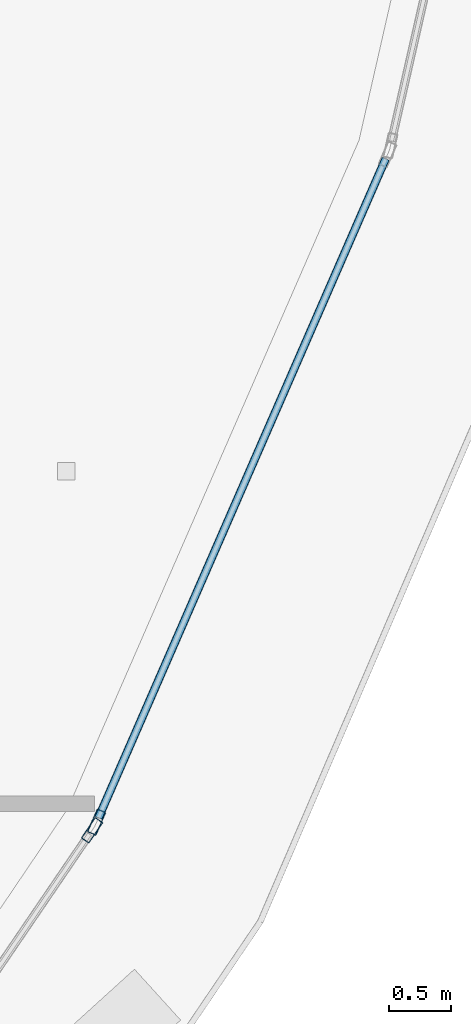
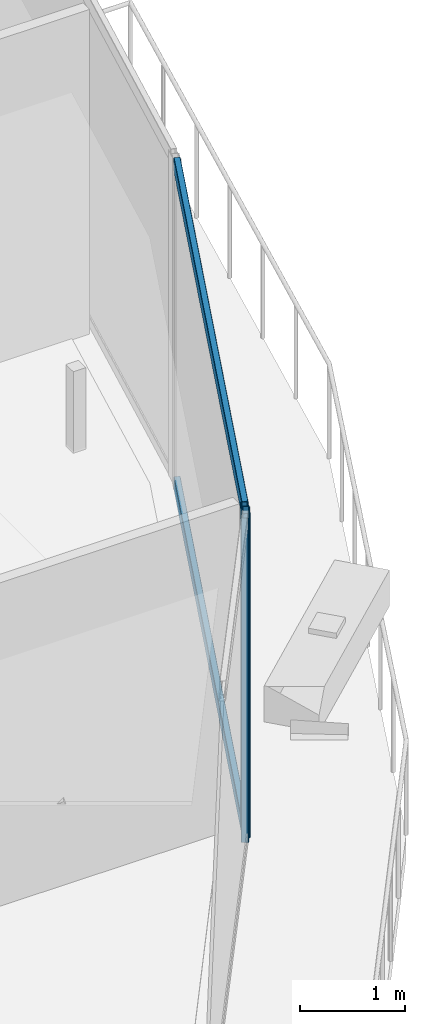
# One storey, part 9 of 32: 4 members, 2 elements without a shape of their own.
"""IFC4 building model written with IfcOpenShell, lengths in metres."""

from ifc_helpers import new_model, si_unit, direction, frame, origin, origin_2d, place, context, subcontext, project, spatial, hollow_rectangle, extrude, material, layer, layer_set, material_profile, profile_set, type_object, element, aggregate, save


model = new_model("IFC4")

# Units and contexts
model_context = context("Model", 3, precision=1e-05, world=origin(), true_north=direction((0.0, 1.0)))
body_context = subcontext(model_context, "Body", "Model", "MODEL_VIEW")
ifc_project = project(units=[si_unit("LENGTHUNIT", "METRE"), si_unit("AREAUNIT", "SQUARE_METRE"), si_unit("VOLUMEUNIT", "CUBIC_METRE"), si_unit("PLANEANGLEUNIT", "RADIAN"), si_unit("MASSUNIT", "GRAM", prefix="KILO")], contexts=[model_context])

# Site, building, storey
site_placement = place(None, origin())
site = spatial("IfcSite", under=ifc_project, at=site_placement, CompositionType="ELEMENT")
building_placement = place(site_placement, origin())
building = spatial("IfcBuilding", under=site, at=building_placement, Name="Qorvath Tower", CompositionType="ELEMENT")
storey_placement = place(building_placement, frame((0.0, 0.0, 233.39990234375)))
storey = spatial("IfcBuildingStorey", under=building, at=storey_placement, Name="L54", CompositionType="ELEMENT", Elevation=233.39990234375)

# Curtain wall, member
ifc_material_1 = material(Name="Anodised aluminium and triple low-E glass", Category="aluminium")
ifc_layer = layer(ifc_material_1, 0.179931640625)
ifc_layer_set = layer_set([ifc_layer], Name="CW-SYS-5")
curtain_wall_type = type_object("IfcCurtainWallType", Name="CW-SYS-5", PredefinedType="NOTDEFINED", material=ifc_layer_set)
curtain_wall_1_placement = place(storey_placement, origin())
curtain_wall_1 = element("IfcCurtainWall", 1, at=curtain_wall_1_placement, inside=storey, type_object=curtain_wall_type, Name="Curtain Wall CW-5 CW-T-L54-7.1", PredefinedType="NOTDEFINED")
ifc_material_2 = material(Name="Anodised aluminium 6063-T6", Category="aluminium")
ifc_material_profile_1 = material_profile(ifc_material_2, hollow_rectangle(XDim=0.074951171875, YDim=0.199951171875, WallThickness=0.00390625, InnerFilletRadius=0.00390625, OuterFilletRadius=0.008056640625, at=origin_2d()), Name="CWM 200x75")
ifc_profile_set_1 = profile_set([ifc_material_profile_1], Name="Anodised aluminium 6063-T6")
member_type_1 = type_object("IfcMemberType", Name="CWM-200", PredefinedType="MULLION", material=ifc_profile_set_1)
member_1_placement = place(storey_placement, frame((-3.526123046875, -15.32373046875, 0.0), z_axis=(0.0, 0.0, 1.0), x_axis=(-0.826473596685, 0.562975482577, 0.0)))
member_1 = element("IfcMember", 2, at=member_1_placement, type_object=member_type_1, Name="CW-5 mullion 2", PredefinedType="MULLION", context=body_context, shape_type="SweptSolid", body=[
    extrude(hollow_rectangle(XDim=0.074951171875, YDim=0.199951171875, WallThickness=0.00390625, InnerFilletRadius=0.00390625, OuterFilletRadius=0.008056640625, at=origin_2d()), origin(), (0.0, 0.0, 1.0), 3.780029296875),
])
aggregate(curtain_wall_1, [member_1])

# Curtain wall, members
curtain_wall_2_placement = place(storey_placement, origin())
curtain_wall_2 = element("IfcCurtainWall", 3, at=curtain_wall_2_placement, inside=storey, type_object=curtain_wall_type, Name="Curtain Wall CW-5 CW-T-L54-8.1", PredefinedType="NOTDEFINED")
member_2_placement = place(storey_placement, frame((-3.489990234375, -15.25830078125, 0.0), z_axis=(0.0, 0.0, 1.0), x_axis=(-0.916728547594, 0.39951066322, 0.0)))
member_2 = element("IfcMember", 4, at=member_2_placement, type_object=member_type_1, Name="CW-5 mullion 1", PredefinedType="MULLION", context=body_context, shape_type="SweptSolid", body=[
    extrude(hollow_rectangle(XDim=0.074951171875, YDim=0.199951171875, WallThickness=0.00390625, InnerFilletRadius=0.00390625, OuterFilletRadius=0.008056640625, at=origin_2d()), origin(), (0.0, 0.0, 1.0), 3.780029296875),
])
ifc_material_3 = material(Name="Anodised aluminium 6063-T6", Category="aluminium")
ifc_material_profile_2 = material_profile(ifc_material_3, hollow_rectangle(XDim=0.06494140625, YDim=0.159912109375, WallThickness=0.00341796875, InnerFilletRadius=0.00341796875, OuterFilletRadius=0.007080078125, at=origin_2d()), Name="CWT 160x65")
ifc_profile_set_2 = profile_set([ifc_material_profile_2], Name="Anodised aluminium 6063-T6")
member_type_2 = type_object("IfcMemberType", Name="CWT-160", PredefinedType="USERDEFINED", material=ifc_profile_set_2)
member_3_placement = place(storey_placement, frame((-3.474853515625, -15.223876953125, 0.032470703125), z_axis=(0.399499548855, 0.916733391158, 0.0), x_axis=(-0.916733391158, 0.399499548855, 0.0)))
member_3 = element("IfcMember", 5, at=member_3_placement, type_object=member_type_2, Name="CW-5 transom 1.1", ObjectType="TRANSOM", PredefinedType="USERDEFINED", context=body_context, shape_type="SweptSolid", body=[
    extrude(hollow_rectangle(XDim=0.06494140625, YDim=0.159912109375, WallThickness=0.00341796875, InnerFilletRadius=0.00341796875, OuterFilletRadius=0.007080078125, at=origin_2d()), origin(), (0.0, 0.0, 1.0), 5.758544921875),
])
member_4_placement = place(storey_placement, frame((-3.474853515625, -15.223876953125, 3.74755859375), z_axis=(0.399499548855, 0.916733391158, 0.0), x_axis=(-0.916733391158, 0.399499548855, 0.0)))
member_4 = element("IfcMember", 6, at=member_4_placement, type_object=member_type_2, Name="CW-5 transom 1.2", ObjectType="TRANSOM", PredefinedType="USERDEFINED", context=body_context, shape_type="SweptSolid", body=[
    extrude(hollow_rectangle(XDim=0.06494140625, YDim=0.159912109375, WallThickness=0.00341796875, InnerFilletRadius=0.00341796875, OuterFilletRadius=0.007080078125, at=origin_2d()), origin(), (0.0, 0.0, 1.0), 5.758544921875),
])
aggregate(curtain_wall_2, [member_2, member_3, member_4])

save(model, "model.ifc")
